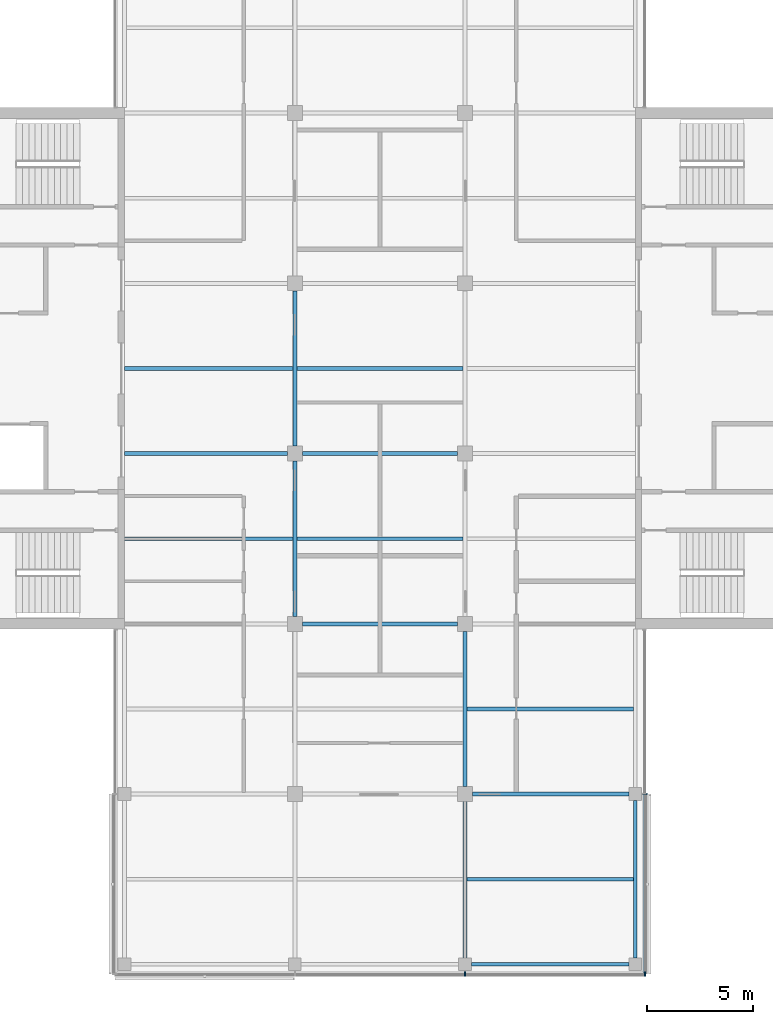
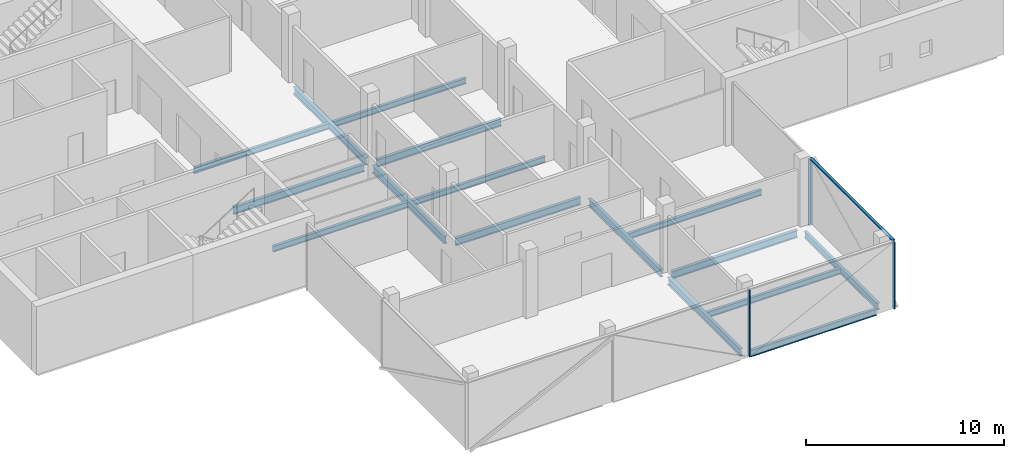
# One storey, part 3 of 16: 16 beams, 4 members, 2 elements without a shape of their own.
"""IFC4 building model written with IfcOpenShell, lengths in metres."""

import ifcopenshell
import ifcopenshell.guid

model = None  # the IFC model being written
_history = None  # IfcOwnerHistory: only IFC2X3 demands one
_inside = {}  # id of a spatial element -> (the spatial element, [elements in it])
_under = {}  # id of a project, library or spatial element -> (it, [spatial elements below it])
_declared = {}  # id of a project -> (the project, [libraries it declares])
_typed = {}  # id of a type object -> (the type object, [elements of that type])
_made_of = {}  # id of a material, layer set ... -> (it, [elements and type objects made of it])


def new_model(schema):
    """Start an empty IFC model of exactly this schema.

    Asked for "IFC4X3", IfcOpenShell would pick the latest addendum, in which some entities
    have other attributes; the version numbers below select the first issue.
    IFC2X3 requires an IfcOwnerHistory on every rooted entity: one is made here for all.
    """
    global model, _history
    if schema == "IFC4X3":
        model = ifcopenshell.file(schema_version=(4, 3, 0, 0))
    else:
        model = ifcopenshell.file(schema=schema)
    _inside.clear()
    _under.clear()
    _declared.clear()
    _typed.clear()
    _made_of.clear()
    _history = None
    if model.schema == "IFC2X3":
        org = make("IfcOrganization", Name="unknown")
        user = make(
            "IfcPersonAndOrganization",
            ThePerson=make("IfcPerson", FamilyName="unknown"),
            TheOrganization=org,
        )
        app = make(
            "IfcApplication",
            ApplicationDeveloper=org,
            Version="unknown",
            ApplicationFullName="unknown",
            ApplicationIdentifier="unknown",
        )
        _history = make(
            "IfcOwnerHistory",
            OwningUser=user,
            OwningApplication=app,
            ChangeAction="ADDED",
            CreationDate=0,
        )
    return model


def make(cls, **values):
    """One entity of the class cls with the attributes given. An attribute that is None is left unset."""
    return model.create_entity(
        cls, **{name: value for name, value in values.items() if value is not None}
    )


def rooted(cls, **values):
    """An entity with a GlobalId (a new one), such as an element, a storey or a relation."""
    return make(cls, GlobalId=ifcopenshell.guid.new(), OwnerHistory=_history, **values)


def si_unit(unit_type, name, prefix=None):
    """IfcSIUnit, for example si_unit("LENGTHUNIT", "METRE", prefix="MILLI")."""
    return make("IfcSIUnit", UnitType=unit_type, Prefix=prefix, Name=name)


def assignment(units):
    """IfcUnitAssignment: the units of a project."""
    return None if units is None else make("IfcUnitAssignment", Units=units)


def point(xyz):
    """IfcCartesianPoint."""
    return None if xyz is None else make("IfcCartesianPoint", Coordinates=xyz)


def direction(xyz):
    """IfcDirection."""
    return None if xyz is None else make("IfcDirection", DirectionRatios=xyz)


def frame(location, z_axis=None, x_axis=None):
    """IfcAxis2Placement3D, a coordinate frame: its origin and axes. An axis left out is left unset."""
    return make(
        "IfcAxis2Placement3D",
        Location=point(location),
        Axis=direction(z_axis),
        RefDirection=direction(x_axis),
    )


def frame_2d(location, x_axis=None):
    """IfcAxis2Placement2D, a coordinate frame in the plane: its origin and x axis."""
    return make(
        "IfcAxis2Placement2D", Location=point(location), RefDirection=direction(x_axis)
    )


def origin():
    """The frame at (0, 0, 0) with its axes left unset."""
    return frame((0.0, 0.0, 0.0))


def origin_2d():
    """The frame at (0, 0) in the plane with its x axis left unset."""
    return frame_2d((0.0, 0.0))


def place(relative_to, where):
    """IfcLocalPlacement: puts the frame where relative to a parent placement (None: the world)."""
    return make(
        "IfcLocalPlacement", PlacementRelTo=relative_to, RelativePlacement=where
    )


def context(
    kind, dimensions, precision=None, world=None, true_north=None, identifier=None
):
    """IfcGeometricRepresentationContext, for example the 3D "Model" context."""
    return make(
        "IfcGeometricRepresentationContext",
        ContextIdentifier=identifier,
        ContextType=kind,
        CoordinateSpaceDimension=dimensions,
        Precision=precision,
        WorldCoordinateSystem=world,
        TrueNorth=true_north,
    )


def subcontext(parent, identifier, kind, view, scale=None):
    """IfcGeometricRepresentationSubContext, for example "Body" below "Model"."""
    return make(
        "IfcGeometricRepresentationSubContext",
        ContextIdentifier=identifier,
        ContextType=kind,
        ParentContext=parent,
        TargetScale=scale,
        TargetView=view,
    )


def project(units=None, contexts=None):
    """IfcProject with its units and contexts."""
    return rooted(
        "IfcProject",
        Name="project",
        RepresentationContexts=contexts,
        UnitsInContext=assignment(units),
    )


def spatial(cls, under=None, at=None, **own):
    """A site, building, storey or space (cls), placed at a placement, below another one or the project."""
    s = rooted(cls, ObjectPlacement=at, **own)
    if under is not None:
        _under.setdefault(under.id(), (under, []))[1].append(s)
    return s


def profile(cls, at=None, kind="AREA", **sizes):
    """A parametric profile (cls). Its sizes go by their IFC names, for example OverallWidth=200.0."""
    return make(cls, ProfileType=kind, Position=at, **sizes)


def rectangle(**sizes):
    """IfcRectangleProfileDef."""
    return profile("IfcRectangleProfileDef", **sizes)


def i_section(**sizes):
    """IfcIShapeProfileDef."""
    return profile("IfcIShapeProfileDef", **sizes)


def extrude(swept, where, along, depth):
    """IfcExtrudedAreaSolid: the profile swept, set in the frame where, extruded along a direction by depth."""
    return make(
        "IfcExtrudedAreaSolid",
        SweptArea=swept,
        Position=where,
        ExtrudedDirection=direction(along),
        Depth=depth,
    )


def shape(context_of_items, identifier, shape_type, items):
    """IfcShapeRepresentation: the items that make up one representation, for example the "Body"."""
    return make(
        "IfcShapeRepresentation",
        ContextOfItems=context_of_items,
        RepresentationIdentifier=identifier,
        RepresentationType=shape_type,
        Items=items,
    )


def material(Name=None, Category=None):
    """IfcMaterial."""
    return make("IfcMaterial", Name=Name, Category=Category)


def material_profile(
    of_material, cross_section, Name=None, Category=None, Priority=None
):
    """IfcMaterialProfile: a cross section and its material."""
    return make(
        "IfcMaterialProfile",
        Name=Name,
        Material=of_material,
        Profile=cross_section,
        Priority=Priority,
        Category=Category,
    )


def profile_set(profiles, Name=None, composite=None):
    """IfcMaterialProfileSet."""
    return make(
        "IfcMaterialProfileSet",
        Name=Name,
        MaterialProfiles=profiles,
        CompositeProfile=composite,
    )


def made_of(thing, what):
    """Note that an element or type object is made of a material, layer set ...; save() writes the relation."""
    if what is not None:
        _made_of.setdefault(what.id(), (what, []))[1].append(thing)
    return thing


def type_object(cls, material=None, **own):
    """A type object (cls), such as IfcWallType, which elements share."""
    return made_of(rooted(cls, **own), material)


def element(
    cls,
    number,
    at=None,
    inside=None,
    cuts=None,
    type_object=None,
    material=None,
    context=None,
    identifier="Body",
    shape_type=None,
    held_by="IfcProductDefinitionShape",
    body=None,
    shapes=None,
    **own,
):
    """One element of the class cls, such as IfcWall. Its Tag is "e" and its number.

    at: its placement. inside: the storey or other place that contains it. cuts: it is an
    opening in that element (IfcRelVoidsElement). A single representation is given by context,
    identifier, shape_type and body (its items); several are given by shapes. held_by: the class
    of the entity that holds the representations. save() writes the other relations.
    """
    e = rooted(cls, Tag="e%d" % number, ObjectPlacement=at, **own)
    if body is not None:
        shapes = [shape(context, identifier, shape_type, body)]
    if shapes is not None:
        e.Representation = make(held_by, Representations=shapes)
    if inside is not None:
        _inside.setdefault(inside.id(), (inside, []))[1].append(e)
    if cuts is not None:
        rooted(
            "IfcRelVoidsElement", RelatingBuildingElement=cuts, RelatedOpeningElement=e
        )
    if type_object is not None:
        _typed.setdefault(type_object.id(), (type_object, []))[1].append(e)
    return made_of(e, material)


def aggregate(whole, parts):
    """IfcRelAggregates: a whole, such as a stair, and the parts it consists of."""
    return rooted("IfcRelAggregates", RelatingObject=whole, RelatedObjects=parts)


def save(model, path):
    """Write the relations noted so far, then the file.

    IfcRelAggregates (storeys below a building ...), IfcRelContainedInSpatialStructure (elements
    in a storey), IfcRelDefinesByType, IfcRelAssociatesMaterial and IfcRelDeclares: one each for
    every whole, place, type object, material and project.
    """
    for whole, parts in _under.values():
        aggregate(whole, parts)
    for where, things in _inside.values():
        rooted(
            "IfcRelContainedInSpatialStructure",
            RelatedElements=things,
            RelatingStructure=where,
        )
    for kind, things in _typed.values():
        rooted("IfcRelDefinesByType", RelatedObjects=things, RelatingType=kind)
    for what, things in _made_of.values():
        rooted("IfcRelAssociatesMaterial", RelatedObjects=things, RelatingMaterial=what)
    for by, libraries in _declared.values():
        rooted("IfcRelDeclares", RelatingContext=by, RelatedDefinitions=libraries)
    model.write(path)


model = new_model("IFC4")

# Units and contexts
model_context = context("Model", 3, precision=1e-05, world=origin(), true_north=direction((0.0, 1.0)))
body_context = subcontext(model_context, "Body", "Model", "MODEL_VIEW")
ifc_project = project(units=[si_unit("LENGTHUNIT", "METRE"), si_unit("AREAUNIT", "SQUARE_METRE"), si_unit("VOLUMEUNIT", "CUBIC_METRE"), si_unit("PLANEANGLEUNIT", "RADIAN"), si_unit("MASSUNIT", "GRAM", prefix="KILO")], contexts=[model_context])

# Site, building, storey
site_placement = place(None, origin())
site = spatial("IfcSite", under=ifc_project, at=site_placement, CompositionType="ELEMENT")
building_placement = place(site_placement, origin())
building = spatial("IfcBuilding", under=site, at=building_placement, Name="Crosswind Convention Tower", CompositionType="ELEMENT")
storey_placement = place(building_placement, frame((0.0, 0.0, 287.10009765625)))
storey = spatial("IfcBuildingStorey", under=building, at=storey_placement, Name="L62", CompositionType="ELEMENT", Elevation=287.10009765625)

# Beams
ifc_material_1 = material(Name="Steel S355", Category="steel")
ifc_material_profile_1 = material_profile(ifc_material_1, i_section(OverallWidth=0.177734375, OverallDepth=0.406494140625, WebThickness=0.0078125, FlangeThickness=0.0126953125, FilletRadius=0.01025390625, at=origin_2d()), Name="UB 406x178x60")
ifc_profile_set_1 = profile_set([ifc_material_profile_1], Name="Steel S355")
beam_type_1 = type_object("IfcBeamType", Name="Edge beam UB 406x178x60", PredefinedType="SPANDREL", material=ifc_profile_set_1)
for number, where, z_axis, x_axis, name in (
    (1, (129.300048828125, 72.0, -0.50341796875), (1.0, 0.0, 0.0), (0.0, 1.0, 0.0), "B15 L62 edge beam 9"),
    (2, (137.0, 72.300048828125, -0.50341796875), (0.0, 1.0, 0.0), (-1.0, 0.0, 0.0), "B15 L62 edge beam 11"),
):
    element("IfcBeam", number, at=place(storey_placement, frame(where, z_axis=z_axis, x_axis=x_axis)), inside=storey, type_object=beam_type_1, Name=name, PredefinedType="SPANDREL", context=body_context, shape_type="SweptSolid", body=[
        extrude(i_section(OverallWidth=0.177734375, OverallDepth=0.406494140625, WebThickness=0.0078125, FlangeThickness=0.0126953125, FilletRadius=0.01025390625, at=origin_2d()), origin(), (0.0, 0.0, 1.0), 7.39990234375),
    ])
ifc_material_profile_2 = material_profile(ifc_material_1, i_section(OverallWidth=0.18994140625, OverallDepth=0.45361328125, WebThickness=0.008544921875, FlangeThickness=0.0126953125, FilletRadius=0.01025390625, at=origin_2d()), Name="UB 457x191x67")
ifc_profile_set_2 = profile_set([ifc_material_profile_2], Name="Steel S355")
beam_type_2 = type_object("IfcBeamType", Name="Girder UB 457x191x67", PredefinedType="BEAM", material=ifc_profile_set_2)
for number, where, z_axis, x_axis, name in (
    (3, (121.0, 88.35009765625, -0.52685546875), (0.0, 1.0, 0.0), (-1.0, 0.0, 0.0), "B1 L62 girder 5"),
    (4, (121.0, 96.35009765625, -0.52685546875), (0.0, 1.0, 0.0), (-1.0, 0.0, 0.0), "B1 L62 girder 6"),
    (5, (121.35009765625, 88.0, -0.52685546875), (1.0, 0.0, 0.0), (0.0, 1.0, 0.0), "B1 L62 girder 11"),
    (6, (121.35009765625, 96.0, -0.52685546875), (1.0, 0.0, 0.0), (0.0, 1.0, 0.0), "B1 L62 girder 12"),
):
    element("IfcBeam", number, at=place(storey_placement, frame(where, z_axis=z_axis, x_axis=x_axis)), inside=storey, type_object=beam_type_2, Name=name, PredefinedType="BEAM", context=body_context, shape_type="SweptSolid", body=[
        extrude(i_section(OverallWidth=0.18994140625, OverallDepth=0.45361328125, WebThickness=0.008544921875, FlangeThickness=0.0126953125, FilletRadius=0.01025390625, at=origin_2d()), origin(), (0.0, 0.0, 1.0), 7.2998046875),
    ])
beam_1_placement = place(storey_placement, frame((129.0, 72.300048828125, -0.52685546875), z_axis=(0.0, 1.0, 0.0), x_axis=(-1.0, 0.0, 0.0)))
element("IfcBeam", 7, at=beam_1_placement, inside=storey, type_object=beam_type_2, Name="B1 L62 girder 16", PredefinedType="BEAM", context=body_context, shape_type="SweptSolid", body=[
    extrude(i_section(OverallWidth=0.18994140625, OverallDepth=0.45361328125, WebThickness=0.008544921875, FlangeThickness=0.0126953125, FilletRadius=0.01025390625, at=origin_2d()), origin(), (0.0, 0.0, 1.0), 7.349853515625),
])
beam_2_placement = place(storey_placement, frame((129.0, 80.35009765625, -0.52685546875), z_axis=(0.0, 1.0, 0.0), x_axis=(-1.0, 0.0, 0.0)))
element("IfcBeam", 8, at=beam_2_placement, inside=storey, type_object=beam_type_2, Name="B1 L62 girder 17", PredefinedType="BEAM", context=body_context, shape_type="SweptSolid", body=[
    extrude(i_section(OverallWidth=0.18994140625, OverallDepth=0.45361328125, WebThickness=0.008544921875, FlangeThickness=0.0126953125, FilletRadius=0.01025390625, at=origin_2d()), origin(), (0.0, 0.0, 1.0), 7.2998046875),
])
beam_3_placement = place(storey_placement, frame((129.35009765625, 80.0, -0.52685546875), z_axis=(1.0, 0.0, 0.0), x_axis=(0.0, 1.0, 0.0)))
element("IfcBeam", 9, at=beam_3_placement, inside=storey, type_object=beam_type_2, Name="B1 L62 girder 23", PredefinedType="BEAM", context=body_context, shape_type="SweptSolid", body=[
    extrude(i_section(OverallWidth=0.18994140625, OverallDepth=0.45361328125, WebThickness=0.008544921875, FlangeThickness=0.0126953125, FilletRadius=0.01025390625, at=origin_2d()), origin(), (0.0, 0.0, 1.0), 7.349853515625),
])
ifc_material_profile_3 = material_profile(ifc_material_1, i_section(OverallWidth=0.1904296875, OverallDepth=0.457275390625, WebThickness=0.009033203125, FlangeThickness=0.014404296875, FilletRadius=0.01025390625, at=origin_2d()), Name="UB 457x191x75")
ifc_profile_set_3 = profile_set([ifc_material_profile_3], Name="Steel S355")
beam_type_3 = type_object("IfcBeamType", Name="Girder at core wall UB 457x191x75", PredefinedType="BEAM", material=ifc_profile_set_3)
beam_4_placement = place(storey_placement, frame((113.0, 96.0, -0.52880859375), z_axis=(1.0, 0.0, 0.0), x_axis=(0.0, 1.0, 0.0)))
element("IfcBeam", 10, at=beam_4_placement, inside=storey, type_object=beam_type_3, Name="B22 L62 girder at core wall 2", PredefinedType="BEAM", context=body_context, shape_type="SweptSolid", body=[
    extrude(i_section(OverallWidth=0.1904296875, OverallDepth=0.457275390625, WebThickness=0.009033203125, FlangeThickness=0.014404296875, FilletRadius=0.01025390625, at=origin_2d()), origin(), (0.0, 0.0, 1.0), 7.64990234375),
])

# Curtain wall, members
ifc_material_2 = material(Name="Aluminium unitised curtain wall", Category="aluminium")
curtain_wall_type = type_object("IfcCurtainWallType", Name="OFFICE UNITISED WALL 220", PredefinedType="USERDEFINED", material=ifc_material_2)
curtain_wall_1_placement = place(storey_placement, origin())
curtain_wall_1 = element("IfcCurtainWall", 11, at=curtain_wall_1_placement, inside=storey, type_object=curtain_wall_type, Name="CW3 L62 S-TIP 1", ObjectType="UNITISED", PredefinedType="USERDEFINED")
ifc_material_3 = material(Name="Aluminium mullion", Category="aluminium")
ifc_material_profile_4 = material_profile(ifc_material_3, rectangle(XDim=0.219970703125, YDim=0.070068359375, at=origin_2d()), Name="AL 220X70")
ifc_profile_set_4 = profile_set([ifc_material_profile_4], Name="Aluminium mullion")
member_type_1 = type_object("IfcMemberType", Name="MULLION 70X220", PredefinedType="MULLION", material=ifc_profile_set_4)
member_1_placement = place(storey_placement, frame((129.0, 71.5400390625, -0.300048828125), z_axis=(0.0, 0.0, 1.0), x_axis=(0.0, -1.0, 0.0)))
member_1 = element("IfcMember", 12, at=member_1_placement, type_object=member_type_1, Name="CW3 mullion 3", PredefinedType="MULLION", context=body_context, shape_type="SweptSolid", body=[
    extrude(rectangle(XDim=0.219970703125, YDim=0.070068359375, at=origin_2d()), origin(), (0.0, 0.0, 1.0), 4.1298828125),
])
member_2_placement = place(storey_placement, frame((137.4599609375, 71.5400390625, -0.300048828125), z_axis=(0.0, 0.0, 1.0), x_axis=(0.0, -1.0, 0.0)))
member_2 = element("IfcMember", 13, at=member_2_placement, type_object=member_type_1, Name="CW3 mullion 4", PredefinedType="MULLION", context=body_context, shape_type="SweptSolid", body=[
    extrude(rectangle(XDim=0.219970703125, YDim=0.070068359375, at=origin_2d()), origin(), (0.0, 0.0, 1.0), 4.1298828125),
])
aggregate(curtain_wall_1, [member_1, member_2])

# Curtain wall, member
curtain_wall_2_placement = place(storey_placement, origin())
curtain_wall_2 = element("IfcCurtainWall", 14, at=curtain_wall_2_placement, inside=storey, type_object=curtain_wall_type, Name="CW3 L62 S-E 1", ObjectType="UNITISED", PredefinedType="USERDEFINED")
member_3_placement = place(storey_placement, frame((137.4599609375, 80.0, -0.300048828125), z_axis=(0.0, 0.0, 1.0), x_axis=(1.0, 0.0, 0.0)))
member_3 = element("IfcMember", 15, at=member_3_placement, type_object=member_type_1, Name="CW3 mullion 2", PredefinedType="MULLION", context=body_context, shape_type="SweptSolid", body=[
    extrude(rectangle(XDim=0.219970703125, YDim=0.070068359375, at=origin_2d()), origin(), (0.0, 0.0, 1.0), 4.1298828125),
])

# Beams
ifc_material_profile_5 = material_profile(ifc_material_1, i_section(OverallWidth=0.17138671875, OverallDepth=0.355712890625, WebThickness=0.00732421875, FlangeThickness=0.011474609375, FilletRadius=0.01025390625, at=origin_2d()), Name="UB 356x171x51")
ifc_profile_set_5 = profile_set([ifc_material_profile_5], Name="Steel S355")
beam_type_4 = type_object("IfcBeamType", Name="Secondary beam UB 356x171x51", PredefinedType="JOIST", material=ifc_profile_set_5)
for number, where, z_axis, x_axis, name in (
    (16, (113.0, 92.0, -0.477783203125), (1.0, 0.0, 0.0), (0.0, 1.0, 0.0), "B8 L62 secondary beam 1"),
    (17, (113.0, 100.0, -0.477783203125), (1.0, 0.0, 0.0), (0.0, 1.0, 0.0), "B8 L62 secondary beam 2"),
):
    element("IfcBeam", number, at=place(storey_placement, frame(where, z_axis=z_axis, x_axis=x_axis)), inside=storey, type_object=beam_type_4, Name=name, PredefinedType="JOIST", context=body_context, shape_type="SweptSolid", body=[
        extrude(i_section(OverallWidth=0.17138671875, OverallDepth=0.355712890625, WebThickness=0.00732421875, FlangeThickness=0.011474609375, FilletRadius=0.01025390625, at=origin_2d()), origin(), (0.0, 0.0, 1.0), 7.905029296875),
    ])
for number, where, z_axis, x_axis, name in (
    (18, (121.094970703125, 92.0, -0.477783203125), (1.0, 0.0, 0.0), (0.0, 1.0, 0.0), "B8 L62 secondary beam 10"),
    (19, (121.094970703125, 100.0, -0.477783203125), (1.0, 0.0, 0.0), (0.0, 1.0, 0.0), "B8 L62 secondary beam 11"),
):
    element("IfcBeam", number, at=place(storey_placement, frame(where, z_axis=z_axis, x_axis=x_axis)), inside=storey, type_object=beam_type_4, Name=name, PredefinedType="JOIST", context=body_context, shape_type="SweptSolid", body=[
        extrude(i_section(OverallWidth=0.17138671875, OverallDepth=0.355712890625, WebThickness=0.00732421875, FlangeThickness=0.011474609375, FilletRadius=0.01025390625, at=origin_2d()), origin(), (0.0, 0.0, 1.0), 7.81005859375),
    ])
for number, where, z_axis, x_axis, name in (
    (20, (129.094970703125, 76.0, -0.477783203125), (1.0, 0.0, 0.0), (0.0, 1.0, 0.0), "B8 L62 secondary beam 15"),
    (21, (129.094970703125, 84.0, -0.477783203125), (1.0, 0.0, 0.0), (0.0, 1.0, 0.0), "B8 L62 secondary beam 16"),
):
    element("IfcBeam", number, at=place(storey_placement, frame(where, z_axis=z_axis, x_axis=x_axis)), inside=storey, type_object=beam_type_4, Name=name, PredefinedType="JOIST", context=body_context, shape_type="SweptSolid", body=[
        extrude(i_section(OverallWidth=0.17138671875, OverallDepth=0.355712890625, WebThickness=0.00732421875, FlangeThickness=0.011474609375, FilletRadius=0.01025390625, at=origin_2d()), origin(), (0.0, 0.0, 1.0), 7.816162109375),
    ])

# Member
ifc_material_4 = material(Name="Aluminium transom", Category="aluminium")
ifc_material_profile_6 = material_profile(ifc_material_4, rectangle(XDim=0.159912109375, YDim=0.070068359375, at=origin_2d()), Name="AL 160X70")
ifc_profile_set_6 = profile_set([ifc_material_profile_6], Name="Aluminium transom")
member_type_2 = type_object("IfcMemberType", Name="TRANSOM 70X160", PredefinedType="USERDEFINED", material=ifc_profile_set_6)
member_4_placement = place(storey_placement, frame((137.4599609375, 71.574951171875, 3.864990234375), z_axis=(0.0, 1.0, 0.0), x_axis=(-1.0, 0.0, 0.0)))
member_4 = element("IfcMember", 22, at=member_4_placement, type_object=member_type_2, Name="CW3 transom", ObjectType="TRANSOM", PredefinedType="USERDEFINED", context=body_context, shape_type="SweptSolid", body=[
    extrude(rectangle(XDim=0.159912109375, YDim=0.070068359375, at=origin_2d()), origin(), (0.0, 0.0, 1.0), 8.39013671875),
])

aggregate(curtain_wall_2, [member_3, member_4])

save(model, "model.ifc")
